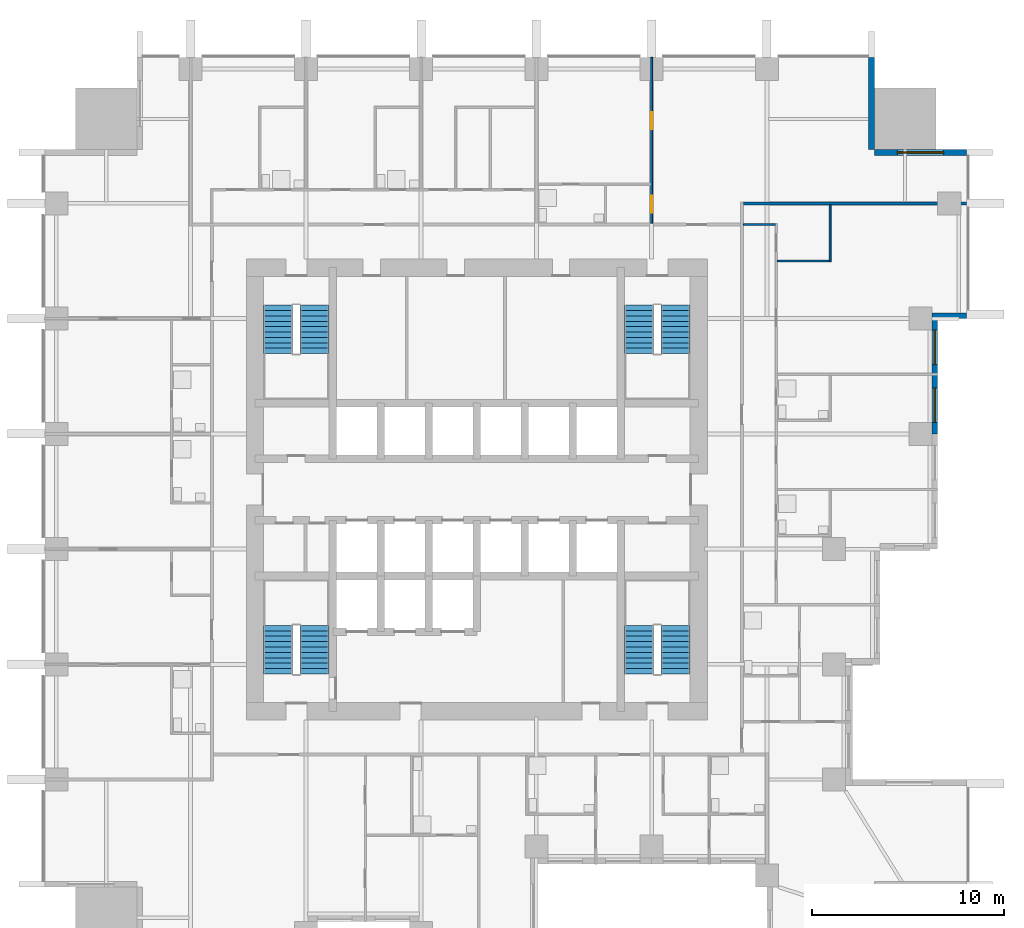
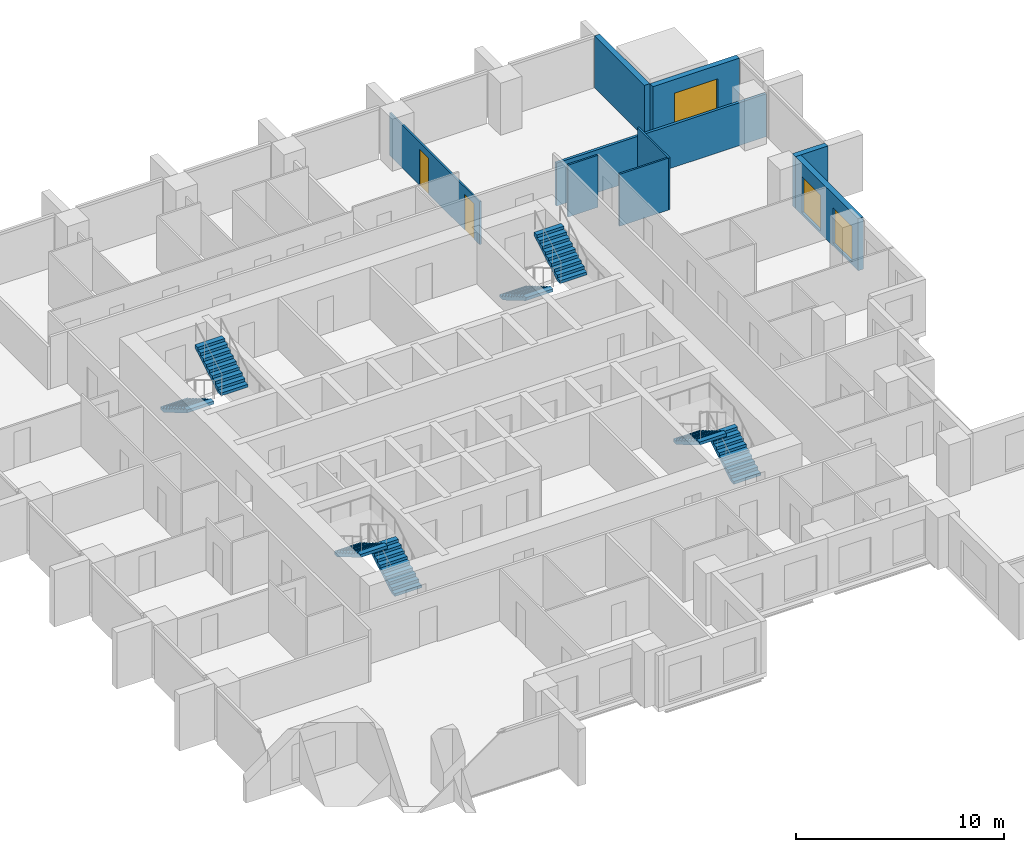
# One storey, part 8 of 10: 9 walls, 8 stair flights, 3 windows, 2 doors, 5 openings, 4 elements without a shape of their own.
"""IFC4 building model written with IfcOpenShell, lengths in metres."""

from ifc_helpers import new_model, si_unit, direction, frame, frame_2d, origin, place, context, subcontext, project, spatial, polyline, rectangle, outline, extrude, material, layer, layer_set, type_object, element, fill, aggregate, save


model = new_model("IFC4")

# Units and contexts
model_context = context("Model", 3, precision=1e-05, world=origin(), true_north=direction((0.0, 1.0)))
body_context = subcontext(model_context, "Body", "Model", "MODEL_VIEW")
ifc_project = project(units=[si_unit("LENGTHUNIT", "METRE"), si_unit("AREAUNIT", "SQUARE_METRE"), si_unit("VOLUMEUNIT", "CUBIC_METRE"), si_unit("PLANEANGLEUNIT", "RADIAN"), si_unit("MASSUNIT", "GRAM", prefix="KILO")], contexts=[model_context])

# Site, building, storey
site_placement = place(None, origin())
site = spatial("IfcSite", under=ifc_project, at=site_placement, CompositionType="ELEMENT")
building_placement = place(site_placement, origin())
building = spatial("IfcBuilding", under=site, at=building_placement, Name="Amberfall Residences", CompositionType="ELEMENT")
storey_placement = place(building_placement, frame((0.0, 0.0, 49.89990234375)))
storey = spatial("IfcBuildingStorey", under=building, at=storey_placement, Name="L13", CompositionType="ELEMENT", Elevation=49.89990234375)

# Wall
ifc_material_1 = material(Name="Pale stone cladding on insulated backing", Category="masonry")
ifc_layer_1 = layer(ifc_material_1, 0.300048828125)
ifc_layer_set_1 = layer_set([ifc_layer_1], Name="Bronze clad wall 300")
wall_type_1 = type_object("IfcWallType", Name="Bronze clad wall 300", PredefinedType="SOLIDWALL", material=ifc_layer_set_1)
wall_1_placement = place(storey_placement, frame((98.199951171875, 54.550048828125, 0.0), z_axis=(0.0, 0.0, 1.0), x_axis=(1.0, 0.0, 0.0)))
element("IfcWall", 1, at=wall_1_placement, inside=storey, type_object=wall_type_1, Name="External wall L13 E", PredefinedType="SOLIDWALL", context=body_context, shape_type="SweptSolid", body=[
    extrude(rectangle(XDim=1.800048828125, YDim=0.300048828125, at=frame_2d((0.89990234375, 0.0))), origin(), (0.0, 0.0, 1.0), 3.050048828125),
])

# Wall, opening, window
wall_2_placement = place(storey_placement, frame((100.0, 63.050048828125, 0.0), z_axis=(0.0, 0.0, 1.0), x_axis=(-1.0, 0.0, 0.0)))
wall_2 = element("IfcWall", 2, at=wall_2_placement, inside=storey, type_object=wall_type_1, Name="External wall L13 NE", PredefinedType="SOLIDWALL", context=body_context, shape_type="SweptSolid", body=[
    extrude(rectangle(XDim=4.800048828125, YDim=0.300048828125, at=frame_2d((2.39990234375, 0.0))), origin(), (0.0, 0.0, 1.0), 3.050048828125),
])
opening_1_placement = place(wall_2_placement, frame((1.199951171875, 0.0, 0.14990234375)))
opening_1 = element("IfcOpeningElement", 3, at=opening_1_placement, cuts=wall_2, Name="Opening WN5", PredefinedType="OPENING", context=body_context, shape_type="SweptSolid", body=[
    extrude(rectangle(XDim=2.39990234375, YDim=2.10009765625, at=frame_2d((1.199951171875, 1.050048828125))), frame((0.0, 0.159912109375, 0.0), z_axis=(0.0, -1.0, 0.0), x_axis=(1.0, 0.0, 0.0)), (0.0, 0.0, 1.0), 0.320068359375),
])
ifc_material_2 = material(Name="Bronze aluminium framed glazing", Category="aluminium")
window_type_1 = type_object("IfcWindowType", Name="Glazed opening 2400 x 2100 bronze", PartitioningType="DOUBLE_PANEL_VERTICAL", PredefinedType="WINDOW", material=ifc_material_2)
window_1_placement = place(opening_1_placement, origin())
window_1 = element("IfcWindow", 4, at=window_1_placement, inside=storey, type_object=window_type_1, Name="Window L13 NE", OverallHeight=2.10009765625, OverallWidth=2.39990234375, PartitioningType="DOUBLE_PANEL_VERTICAL", PredefinedType="WINDOW", context=body_context, shape_type="SweptSolid", body=[
    extrude(rectangle(XDim=2.39990234375, YDim=2.10009765625, at=frame_2d((1.199951171875, 1.050048828125))), frame((0.0, 0.030029296875, 0.0), z_axis=(0.0, -1.0, 0.0), x_axis=(1.0, 0.0, 0.0)), (0.0, 0.0, 1.0), 0.06005859375),
])
fill(opening_1, window_1)

# Wall
wall_3_placement = place(storey_placement, frame((95.050048828125, 63.199951171875, 0.0), z_axis=(0.0, 0.0, 1.0), x_axis=(0.0, 1.0, 0.0)))
element("IfcWall", 5, at=wall_3_placement, inside=storey, type_object=wall_type_1, Name="External wall L13 NE", PredefinedType="SOLIDWALL", context=body_context, shape_type="SweptSolid", body=[
    extrude(rectangle(XDim=4.800048828125, YDim=0.300048828125, at=frame_2d((2.39990234375, 0.0))), origin(), (0.0, 0.0, 1.0), 3.050048828125),
])

# Wall, openings, windows
wall_4_placement = place(storey_placement, frame((98.35009765625, 48.39990234375, 0.0), z_axis=(0.0, 0.0, 1.0), x_axis=(0.0, 1.0, 0.0)))
wall_4 = element("IfcWall", 6, at=wall_4_placement, inside=storey, type_object=wall_type_1, Name="Stone wall L13 E", PredefinedType="SOLIDWALL", context=body_context, shape_type="SweptSolid", body=[
    extrude(rectangle(XDim=6.0, YDim=0.300048828125, at=frame_2d((3.0, 0.0))), origin(), (0.0, 0.0, 1.0), 3.050048828125),
])
opening_2_placement = place(wall_4_placement, frame((0.60009765625, 0.0, 0.14990234375)))
opening_2 = element("IfcOpeningElement", 7, at=opening_2_placement, cuts=wall_4, Name="Opening WN6", PredefinedType="OPENING", context=body_context, shape_type="SweptSolid", body=[
    extrude(rectangle(XDim=1.800048828125, YDim=2.10009765625, at=frame_2d((0.89990234375, 1.050048828125))), frame((0.0, 0.159912109375, 0.0), z_axis=(0.0, -1.0, 0.0), x_axis=(1.0, 0.0, 0.0)), (0.0, 0.0, 1.0), 0.320068359375),
])
opening_3_placement = place(wall_4_placement, frame((3.60009765625, 0.0, 0.14990234375)))
opening_3 = element("IfcOpeningElement", 8, at=opening_3_placement, cuts=wall_4, Name="Opening WN6", PredefinedType="OPENING", context=body_context, shape_type="SweptSolid", body=[
    extrude(rectangle(XDim=1.800048828125, YDim=2.10009765625, at=frame_2d((0.89990234375, 1.050048828125))), frame((0.0, 0.159912109375, 0.0), z_axis=(0.0, -1.0, 0.0), x_axis=(1.0, 0.0, 0.0)), (0.0, 0.0, 1.0), 0.320068359375),
])
window_type_2 = type_object("IfcWindowType", Name="Glazed opening 1800 x 2100 bronze", PartitioningType="DOUBLE_PANEL_VERTICAL", PredefinedType="WINDOW", material=ifc_material_2)
window_2_placement = place(opening_2_placement, origin())
window_2 = element("IfcWindow", 9, at=window_2_placement, inside=storey, type_object=window_type_2, Name="Window L13 E", OverallHeight=2.10009765625, OverallWidth=1.800048828125, PartitioningType="DOUBLE_PANEL_VERTICAL", PredefinedType="WINDOW", context=body_context, shape_type="SweptSolid", body=[
    extrude(rectangle(XDim=1.800048828125, YDim=2.10009765625, at=frame_2d((0.89990234375, 1.050048828125))), frame((0.0, 0.030029296875, 0.0), z_axis=(0.0, -1.0, 0.0), x_axis=(1.0, 0.0, 0.0)), (0.0, 0.0, 1.0), 0.06005859375),
])
fill(opening_2, window_2)
window_3_placement = place(opening_3_placement, origin())
window_3 = element("IfcWindow", 10, at=window_3_placement, inside=storey, type_object=window_type_2, Name="Window L13 E", OverallHeight=2.10009765625, OverallWidth=1.800048828125, PartitioningType="DOUBLE_PANEL_VERTICAL", PredefinedType="WINDOW", context=body_context, shape_type="SweptSolid", body=[
    extrude(rectangle(XDim=1.800048828125, YDim=2.10009765625, at=frame_2d((0.89990234375, 1.050048828125))), frame((0.0, 0.030029296875, 0.0), z_axis=(0.0, -1.0, 0.0), x_axis=(1.0, 0.0, 0.0)), (0.0, 0.0, 1.0), 0.06005859375),
])
fill(opening_3, window_3)

# Wall, openings, doors
ifc_material_3 = material(Name="Gypsum board on metal stud")
ifc_layer_2 = layer(ifc_material_3, 0.10009765625)
ifc_layer_set_2 = layer_set([ifc_layer_2], Name="Flat partition 100")
wall_type_2 = type_object("IfcWallType", Name="Flat partition 100", PredefinedType="PARTITIONING", material=ifc_layer_set_2)
wall_5_placement = place(storey_placement, frame((83.60009765625, 59.375, 0.0), z_axis=(0.0, 0.0, 1.0), x_axis=(0.0, 1.0, 0.0)))
wall_5 = element("IfcWall", 11, at=wall_5_placement, inside=storey, type_object=wall_type_2, Name="Partition 016", PredefinedType="PARTITIONING", context=body_context, shape_type="SweptSolid", body=[
    extrude(rectangle(XDim=8.625, YDim=0.10009765625, at=frame_2d((4.3125, 0.0))), origin(), (0.0, 0.0, 1.0), 2.51611328125),
])
opening_4_placement = place(wall_5_placement, frame((0.52490234375, 0.0, 0.0)))
opening_4 = element("IfcOpeningElement", 12, at=opening_4_placement, cuts=wall_5, Name="Opening D41", PredefinedType="OPENING", context=body_context, shape_type="SweptSolid", body=[
    extrude(rectangle(XDim=0.89990234375, YDim=2.10009765625, at=frame_2d((0.449951171875, 1.050048828125))), frame((0.0, 0.06005859375, 0.0), z_axis=(0.0, -1.0, 0.0), x_axis=(1.0, 0.0, 0.0)), (0.0, 0.0, 1.0), 0.1201171875),
])
opening_5_placement = place(wall_5_placement, frame((4.875, 0.0, 0.0)))
opening_5 = element("IfcOpeningElement", 13, at=opening_5_placement, cuts=wall_5, Name="Opening D41", PredefinedType="OPENING", context=body_context, shape_type="SweptSolid", body=[
    extrude(rectangle(XDim=0.89990234375, YDim=2.10009765625, at=frame_2d((0.449951171875, 1.050048828125))), frame((0.0, 0.06005859375, 0.0), z_axis=(0.0, -1.0, 0.0), x_axis=(1.0, 0.0, 0.0)), (0.0, 0.0, 1.0), 0.1201171875),
])
ifc_material_4 = material(Name="Timber", Category="wood")
door_type = type_object("IfcDoorType", Name="Internal door 900 x 2100", OperationType="SINGLE_SWING_LEFT", PredefinedType="DOOR", material=ifc_material_4)
door_1_placement = place(opening_4_placement, origin())
door_1 = element("IfcDoor", 14, at=door_1_placement, inside=storey, type_object=door_type, Name="Door 1306 kitchen", OperationType="SINGLE_SWING_LEFT", OverallHeight=2.10009765625, OverallWidth=0.89990234375, PredefinedType="DOOR", context=body_context, shape_type="SweptSolid", body=[
    extrude(rectangle(XDim=0.89990234375, YDim=2.10009765625, at=frame_2d((0.449951171875, 1.050048828125))), frame((0.0, 0.02490234375, 0.0), z_axis=(0.0, -1.0, 0.0), x_axis=(1.0, 0.0, 0.0)), (0.0, 0.0, 1.0), 0.050048828125),
])
fill(opening_4, door_1)
door_2_placement = place(opening_5_placement, origin())
door_2 = element("IfcDoor", 15, at=door_2_placement, inside=storey, type_object=door_type, Name="Door 1306 bedroom1", OperationType="SINGLE_SWING_LEFT", OverallHeight=2.10009765625, OverallWidth=0.89990234375, PredefinedType="DOOR", context=body_context, shape_type="SweptSolid", body=[
    extrude(rectangle(XDim=0.89990234375, YDim=2.10009765625, at=frame_2d((0.449951171875, 1.050048828125))), frame((0.0, 0.02490234375, 0.0), z_axis=(0.0, -1.0, 0.0), x_axis=(1.0, 0.0, 0.0)), (0.0, 0.0, 1.0), 0.050048828125),
])
fill(opening_5, door_2)

# Walls
wall_6_placement = place(storey_placement, frame((92.89990234375, 57.35009765625, 0.0), z_axis=(0.0, 0.0, 1.0), x_axis=(0.0, 1.0, 0.0)))
element("IfcWall", 16, at=wall_6_placement, inside=storey, type_object=wall_type_2, Name="Partition 023", PredefinedType="PARTITIONING", context=body_context, shape_type="SweptSolid", body=[
    extrude(rectangle(XDim=2.974853515625, YDim=0.10009765625, at=frame_2d((1.4873046875, 0.0))), origin(), (0.0, 0.0, 1.0), 3.050048828125),
])
wall_7_placement = place(storey_placement, frame((88.375, 59.300048828125, 0.0), z_axis=(0.0, 0.0, 1.0), x_axis=(1.0, 0.0, 0.0)))
element("IfcWall", 17, at=wall_7_placement, inside=storey, type_object=wall_type_2, Name="Partition 029", PredefinedType="PARTITIONING", context=body_context, shape_type="SweptSolid", body=[
    extrude(rectangle(XDim=1.675048828125, YDim=0.10009765625, at=frame_2d((0.83740234375, 0.0))), origin(), (0.0, 0.0, 1.0), 3.050048828125),
])
wall_8_placement = place(storey_placement, frame((90.14990234375, 57.39990234375, 0.0), z_axis=(0.0, 0.0, 1.0), x_axis=(1.0, 0.0, 0.0)))
element("IfcWall", 18, at=wall_8_placement, inside=storey, type_object=wall_type_2, Name="Partition 030", PredefinedType="PARTITIONING", context=body_context, shape_type="SweptSolid", body=[
    extrude(rectangle(XDim=2.7001953125, YDim=0.10009765625, at=frame_2d((1.35009765625, 0.0))), origin(), (0.0, 0.0, 1.0), 3.050048828125),
])
ifc_material_5 = material(Name="Blockwork, plastered", Category="masonry")
ifc_layer_3 = layer(ifc_material_5, 0.14990234375)
ifc_layer_set_3 = layer_set([ifc_layer_3], Name="Flat separating wall 150")
wall_type_3 = type_object("IfcWallType", Name="Flat separating wall 150", PredefinedType="PARTITIONING", material=ifc_layer_set_3)
wall_9_placement = place(storey_placement, frame((88.375, 60.39990234375, 0.0), z_axis=(0.0, 0.0, 1.0), x_axis=(1.0, 0.0, 0.0)))
element("IfcWall", 19, at=wall_9_placement, inside=storey, type_object=wall_type_3, Name="Separating wall 053", PredefinedType="PARTITIONING", context=body_context, shape_type="SweptSolid", body=[
    extrude(rectangle(XDim=11.625, YDim=0.14990234375, at=frame_2d((5.8125, 0.0))), origin(), (0.0, 0.0, 1.0), 2.51611328125),
])

# Stair, stair flights
ifc_material_6 = material(Name="Concrete C40", Category="concrete")
stair_type = type_object("IfcStairType", Name="Exit stair 20 risers 165.0 mm", PredefinedType="HALF_TURN_STAIR", material=ifc_material_6)
stair_1_placement = place(storey_placement, origin())
stair_1 = element("IfcStair", 20, at=stair_1_placement, inside=storey, type_object=stair_type, Name="L13 Exit stair 1", PredefinedType="HALF_TURN_STAIR")
stair_flight_type = type_object("IfcStairFlightType", Name="Stair flight 10 risers 165.0 mm", PredefinedType="STRAIGHT", material=ifc_material_6)
stair_flight_1_placement = place(storey_placement, frame((66.050048828125, 35.89990234375, 0.0), z_axis=(0.0, 0.0, 1.0), x_axis=(0.0, 1.0, 0.0)))
stair_flight_1 = element("IfcStairFlight", 21, at=stair_flight_1_placement, type_object=stair_flight_type, Name="ST3 flight 1", NumberOfRisers=10, NumberOfTreads=9, PredefinedType="STRAIGHT", RiserHeight=0.165, TreadLength=0.28, context=body_context, shape_type="SweptSolid", body=[
    extrude(outline(polyline([(0.0, 0.0), (0.0, 0.1650390625), (0.280029296875, 0.1650390625), (0.280029296875, 0.330078125), (0.56005859375, 0.330078125), (0.56005859375, 0.4951171875), (0.840087890625, 0.4951171875), (0.840087890625, 0.659912109375), (1.1201171875, 0.659912109375), (1.1201171875, 0.824951171875), (1.39990234375, 0.824951171875), (1.39990234375, 0.989990234375), (1.679931640625, 0.989990234375), (1.679931640625, 1.155029296875), (1.9599609375, 1.155029296875), (1.9599609375, 1.320068359375), (2.239990234375, 1.320068359375), (2.239990234375, 1.485107421875), (2.52001953125, 1.485107421875), (2.52001953125, 1.64990234375), (2.52001953125, 1.31103515625), (0.295166015625, 0.0), (0.0, 0.0)])), frame((0.0, 0.75, 0.0), z_axis=(0.0, -1.0, 0.0), x_axis=(1.0, 0.0, 0.0)), (0.0, 0.0, 1.0), 1.5),
])
stair_flight_2_placement = place(storey_placement, frame((64.14990234375, 38.419921875, 1.650146484375), z_axis=(0.0, 0.0, 1.0), x_axis=(0.0, -1.0, 0.0)))
stair_flight_2 = element("IfcStairFlight", 22, at=stair_flight_2_placement, type_object=stair_flight_type, Name="ST3 flight 2", NumberOfRisers=10, NumberOfTreads=9, PredefinedType="STRAIGHT", RiserHeight=0.165, TreadLength=0.28, context=body_context, shape_type="SweptSolid", body=[
    extrude(outline(polyline([(0.0, 0.0), (0.0, 0.1650390625), (0.280029296875, 0.1650390625), (0.280029296875, 0.330078125), (0.56005859375, 0.330078125), (0.56005859375, 0.4951171875), (0.840087890625, 0.4951171875), (0.840087890625, 0.659912109375), (1.1201171875, 0.659912109375), (1.1201171875, 0.824951171875), (1.39990234375, 0.824951171875), (1.39990234375, 0.989990234375), (1.679931640625, 0.989990234375), (1.679931640625, 1.155029296875), (1.9599609375, 1.155029296875), (1.9599609375, 1.320068359375), (2.239990234375, 1.320068359375), (2.239990234375, 1.485107421875), (2.52001953125, 1.485107421875), (2.52001953125, 1.64990234375), (2.52001953125, 1.31103515625), (0.295166015625, 0.0), (0.0, 0.0)])), frame((0.0, 0.75, 0.0), z_axis=(0.0, -1.0, 0.0), x_axis=(1.0, 0.0, 0.0)), (0.0, 0.0, 1.0), 1.5),
])
aggregate(stair_1, [stair_flight_1, stair_flight_2])

stair_2_placement = place(storey_placement, origin())
stair_2 = element("IfcStair", 23, at=stair_2_placement, inside=storey, type_object=stair_type, Name="L13 Exit stair 2", PredefinedType="HALF_TURN_STAIR")
stair_flight_3_placement = place(storey_placement, frame((84.85009765625, 35.89990234375, 0.0), z_axis=(0.0, 0.0, 1.0), x_axis=(0.0, 1.0, 0.0)))
stair_flight_3 = element("IfcStairFlight", 24, at=stair_flight_3_placement, type_object=stair_flight_type, Name="ST3 flight 1", NumberOfRisers=10, NumberOfTreads=9, PredefinedType="STRAIGHT", RiserHeight=0.165, TreadLength=0.28, context=body_context, shape_type="SweptSolid", body=[
    extrude(outline(polyline([(0.0, 0.0), (0.0, 0.1650390625), (0.280029296875, 0.1650390625), (0.280029296875, 0.330078125), (0.56005859375, 0.330078125), (0.56005859375, 0.4951171875), (0.840087890625, 0.4951171875), (0.840087890625, 0.659912109375), (1.1201171875, 0.659912109375), (1.1201171875, 0.824951171875), (1.39990234375, 0.824951171875), (1.39990234375, 0.989990234375), (1.679931640625, 0.989990234375), (1.679931640625, 1.155029296875), (1.9599609375, 1.155029296875), (1.9599609375, 1.320068359375), (2.239990234375, 1.320068359375), (2.239990234375, 1.485107421875), (2.52001953125, 1.485107421875), (2.52001953125, 1.64990234375), (2.52001953125, 1.31103515625), (0.295166015625, 0.0), (0.0, 0.0)])), frame((0.0, 0.75, 0.0), z_axis=(0.0, -1.0, 0.0), x_axis=(1.0, 0.0, 0.0)), (0.0, 0.0, 1.0), 1.5),
])
stair_flight_4_placement = place(storey_placement, frame((82.949951171875, 38.419921875, 1.650146484375), z_axis=(0.0, 0.0, 1.0), x_axis=(0.0, -1.0, 0.0)))
stair_flight_4 = element("IfcStairFlight", 25, at=stair_flight_4_placement, type_object=stair_flight_type, Name="ST3 flight 2", NumberOfRisers=10, NumberOfTreads=9, PredefinedType="STRAIGHT", RiserHeight=0.165, TreadLength=0.28, context=body_context, shape_type="SweptSolid", body=[
    extrude(outline(polyline([(0.0, 0.0), (0.0, 0.1650390625), (0.280029296875, 0.1650390625), (0.280029296875, 0.330078125), (0.56005859375, 0.330078125), (0.56005859375, 0.4951171875), (0.840087890625, 0.4951171875), (0.840087890625, 0.659912109375), (1.1201171875, 0.659912109375), (1.1201171875, 0.824951171875), (1.39990234375, 0.824951171875), (1.39990234375, 0.989990234375), (1.679931640625, 0.989990234375), (1.679931640625, 1.155029296875), (1.9599609375, 1.155029296875), (1.9599609375, 1.320068359375), (2.239990234375, 1.320068359375), (2.239990234375, 1.485107421875), (2.52001953125, 1.485107421875), (2.52001953125, 1.64990234375), (2.52001953125, 1.31103515625), (0.295166015625, 0.0), (0.0, 0.0)])), frame((0.0, 0.75, 0.0), z_axis=(0.0, -1.0, 0.0), x_axis=(1.0, 0.0, 0.0)), (0.0, 0.0, 1.0), 1.5),
])
aggregate(stair_2, [stair_flight_3, stair_flight_4])

stair_3_placement = place(storey_placement, origin())
stair_3 = element("IfcStair", 26, at=stair_3_placement, inside=storey, type_object=stair_type, Name="L13 Exit stair 3", PredefinedType="HALF_TURN_STAIR")
stair_flight_5_placement = place(storey_placement, frame((82.949951171875, 55.10009765625, 0.0), z_axis=(0.0, 0.0, 1.0), x_axis=(0.0, -1.0, 0.0)))
stair_flight_5 = element("IfcStairFlight", 27, at=stair_flight_5_placement, type_object=stair_flight_type, Name="ST3 flight 1", NumberOfRisers=10, NumberOfTreads=9, PredefinedType="STRAIGHT", RiserHeight=0.165, TreadLength=0.28, context=body_context, shape_type="SweptSolid", body=[
    extrude(outline(polyline([(0.0, 0.0), (0.0, 0.1650390625), (0.280029296875, 0.1650390625), (0.280029296875, 0.330078125), (0.56005859375, 0.330078125), (0.56005859375, 0.4951171875), (0.840087890625, 0.4951171875), (0.840087890625, 0.659912109375), (1.1201171875, 0.659912109375), (1.1201171875, 0.824951171875), (1.39990234375, 0.824951171875), (1.39990234375, 0.989990234375), (1.679931640625, 0.989990234375), (1.679931640625, 1.155029296875), (1.9599609375, 1.155029296875), (1.9599609375, 1.320068359375), (2.239990234375, 1.320068359375), (2.239990234375, 1.485107421875), (2.52001953125, 1.485107421875), (2.52001953125, 1.64990234375), (2.52001953125, 1.31103515625), (0.295166015625, 0.0), (0.0, 0.0)])), frame((0.0, 0.75, 0.0), z_axis=(0.0, -1.0, 0.0), x_axis=(1.0, 0.0, 0.0)), (0.0, 0.0, 1.0), 1.5),
])
stair_flight_6_placement = place(storey_placement, frame((84.85009765625, 52.580078125, 1.650146484375), z_axis=(0.0, 0.0, 1.0), x_axis=(0.0, 1.0, 0.0)))
stair_flight_6 = element("IfcStairFlight", 28, at=stair_flight_6_placement, type_object=stair_flight_type, Name="ST3 flight 2", NumberOfRisers=10, NumberOfTreads=9, PredefinedType="STRAIGHT", RiserHeight=0.165, TreadLength=0.28, context=body_context, shape_type="SweptSolid", body=[
    extrude(outline(polyline([(0.0, 0.0), (0.0, 0.1650390625), (0.280029296875, 0.1650390625), (0.280029296875, 0.330078125), (0.56005859375, 0.330078125), (0.56005859375, 0.4951171875), (0.840087890625, 0.4951171875), (0.840087890625, 0.659912109375), (1.1201171875, 0.659912109375), (1.1201171875, 0.824951171875), (1.39990234375, 0.824951171875), (1.39990234375, 0.989990234375), (1.679931640625, 0.989990234375), (1.679931640625, 1.155029296875), (1.9599609375, 1.155029296875), (1.9599609375, 1.320068359375), (2.239990234375, 1.320068359375), (2.239990234375, 1.485107421875), (2.52001953125, 1.485107421875), (2.52001953125, 1.64990234375), (2.52001953125, 1.31103515625), (0.295166015625, 0.0), (0.0, 0.0)])), frame((0.0, 0.75, 0.0), z_axis=(0.0, -1.0, 0.0), x_axis=(1.0, 0.0, 0.0)), (0.0, 0.0, 1.0), 1.5),
])
aggregate(stair_3, [stair_flight_5, stair_flight_6])

stair_4_placement = place(storey_placement, origin())
stair_4 = element("IfcStair", 29, at=stair_4_placement, inside=storey, type_object=stair_type, Name="L13 Exit stair 4", PredefinedType="HALF_TURN_STAIR")
stair_flight_7_placement = place(storey_placement, frame((64.14990234375, 55.10009765625, 0.0), z_axis=(0.0, 0.0, 1.0), x_axis=(0.0, -1.0, 0.0)))
stair_flight_7 = element("IfcStairFlight", 30, at=stair_flight_7_placement, type_object=stair_flight_type, Name="ST3 flight 1", NumberOfRisers=10, NumberOfTreads=9, PredefinedType="STRAIGHT", RiserHeight=0.165, TreadLength=0.28, context=body_context, shape_type="SweptSolid", body=[
    extrude(outline(polyline([(0.0, 0.0), (0.0, 0.1650390625), (0.280029296875, 0.1650390625), (0.280029296875, 0.330078125), (0.56005859375, 0.330078125), (0.56005859375, 0.4951171875), (0.840087890625, 0.4951171875), (0.840087890625, 0.659912109375), (1.1201171875, 0.659912109375), (1.1201171875, 0.824951171875), (1.39990234375, 0.824951171875), (1.39990234375, 0.989990234375), (1.679931640625, 0.989990234375), (1.679931640625, 1.155029296875), (1.9599609375, 1.155029296875), (1.9599609375, 1.320068359375), (2.239990234375, 1.320068359375), (2.239990234375, 1.485107421875), (2.52001953125, 1.485107421875), (2.52001953125, 1.64990234375), (2.52001953125, 1.31103515625), (0.295166015625, 0.0), (0.0, 0.0)])), frame((0.0, 0.75, 0.0), z_axis=(0.0, -1.0, 0.0), x_axis=(1.0, 0.0, 0.0)), (0.0, 0.0, 1.0), 1.5),
])
stair_flight_8_placement = place(storey_placement, frame((66.050048828125, 52.580078125, 1.650146484375), z_axis=(0.0, 0.0, 1.0), x_axis=(0.0, 1.0, 0.0)))
stair_flight_8 = element("IfcStairFlight", 31, at=stair_flight_8_placement, type_object=stair_flight_type, Name="ST3 flight 2", NumberOfRisers=10, NumberOfTreads=9, PredefinedType="STRAIGHT", RiserHeight=0.165, TreadLength=0.28, context=body_context, shape_type="SweptSolid", body=[
    extrude(outline(polyline([(0.0, 0.0), (0.0, 0.1650390625), (0.280029296875, 0.1650390625), (0.280029296875, 0.330078125), (0.56005859375, 0.330078125), (0.56005859375, 0.4951171875), (0.840087890625, 0.4951171875), (0.840087890625, 0.659912109375), (1.1201171875, 0.659912109375), (1.1201171875, 0.824951171875), (1.39990234375, 0.824951171875), (1.39990234375, 0.989990234375), (1.679931640625, 0.989990234375), (1.679931640625, 1.155029296875), (1.9599609375, 1.155029296875), (1.9599609375, 1.320068359375), (2.239990234375, 1.320068359375), (2.239990234375, 1.485107421875), (2.52001953125, 1.485107421875), (2.52001953125, 1.64990234375), (2.52001953125, 1.31103515625), (0.295166015625, 0.0), (0.0, 0.0)])), frame((0.0, 0.75, 0.0), z_axis=(0.0, -1.0, 0.0), x_axis=(1.0, 0.0, 0.0)), (0.0, 0.0, 1.0), 1.5),
])
aggregate(stair_4, [stair_flight_7, stair_flight_8])

save(model, "model.ifc")
